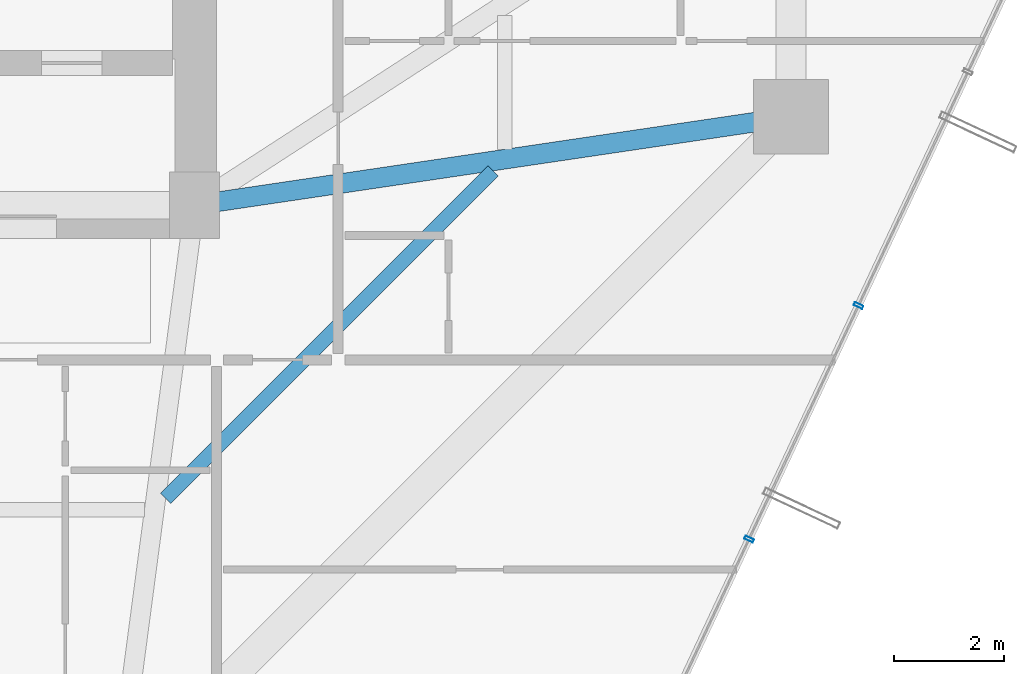
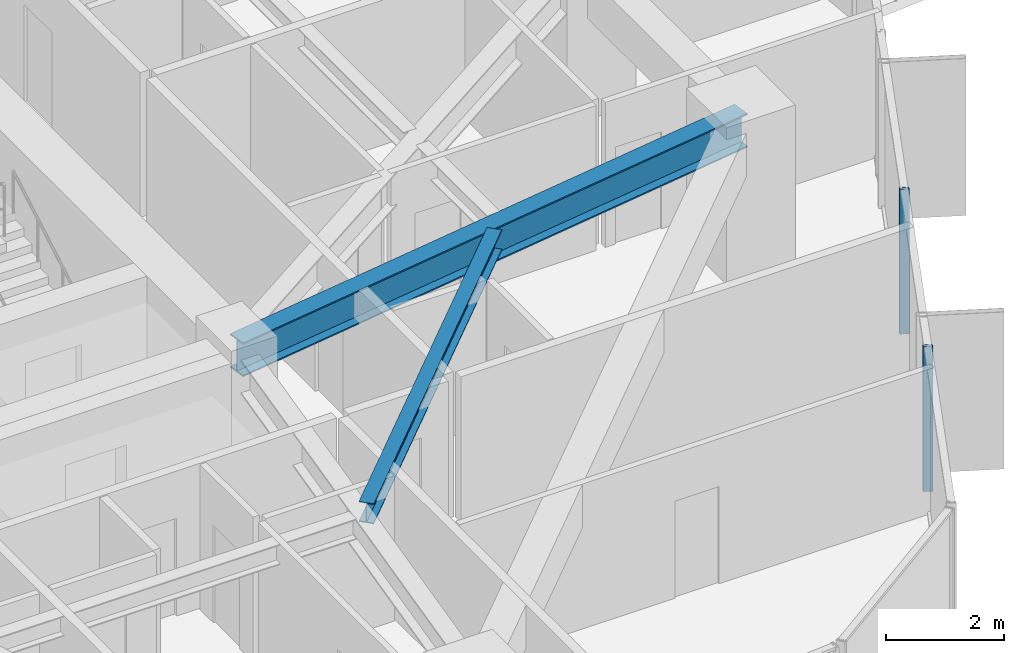
# One storey, part 16 of 37: 2 beams, 2 members, 1 element without a shape of its own.
"""IFC4 building model written with IfcOpenShell, lengths in metres."""

from ifc_helpers import new_model, si_unit, direction, frame, origin, origin_2d, place, context, subcontext, project, spatial, hollow_rectangle, i_section, extrude, source, transform, mapped, material, layer, layer_set, material_profile, profile_set, type_object, element, aggregate, save


model = new_model("IFC4")

# Units and contexts
model_context = context("Model", 3, precision=1e-05, world=origin(), true_north=direction((0.0, 1.0)))
body_context = subcontext(model_context, "Body", "Model", "MODEL_VIEW")
ifc_project = project(units=[si_unit("LENGTHUNIT", "METRE"), si_unit("AREAUNIT", "SQUARE_METRE"), si_unit("VOLUMEUNIT", "CUBIC_METRE"), si_unit("PLANEANGLEUNIT", "RADIAN"), si_unit("MASSUNIT", "GRAM", prefix="KILO")], contexts=[model_context])

# Site, building, storey
site_placement = place(None, origin())
site = spatial("IfcSite", under=ifc_project, at=site_placement, CompositionType="ELEMENT")
building_placement = place(site_placement, origin())
building = spatial("IfcBuilding", under=site, at=building_placement, Name="Veraguas Prism Commons", CompositionType="ELEMENT")
storey_placement = place(building_placement, frame((0.0, 0.0, 40.300048828125)))
storey = spatial("IfcBuildingStorey", under=building, at=storey_placement, Name="L10", CompositionType="ELEMENT", Elevation=40.300048828125)

# Beams
ifc_material_1 = material(Name="Steel ASTM A992 Grade 50", Category="steel")
ifc_material_profile_1 = material_profile(ifc_material_1, i_section(OverallWidth=0.260986328125, OverallDepth=0.419921875, WebThickness=0.01171875, FlangeThickness=0.019287109375, at=origin_2d()), Name="W410X114")
ifc_profile_set_1 = profile_set([ifc_material_profile_1], Name="Steel ASTM A992 Grade 50")
beam_type_1 = type_object("IfcBeamType", Name="Lower Floor Joist W410x114", PredefinedType="JOIST", material=ifc_profile_set_1)
beam_1_placement = place(storey_placement, frame((30.276611328125, 11.6923828125, 2.7900390625), z_axis=(0.707092226423, 0.70712133565, 0.0), x_axis=(-0.70712133565, 0.707092226423, 0.0)))
element("IfcBeam", 1, at=beam_1_placement, inside=storey, type_object=beam_type_1, Name="Composite Floor Joist L10-JS12", PredefinedType="JOIST", context=body_context, shape_type="SweptSolid", body=[
    extrude(i_section(OverallWidth=0.260986328125, OverallDepth=0.419921875, WebThickness=0.01171875, FlangeThickness=0.019287109375, at=origin_2d()), origin(), (0.0, 0.0, 1.0), 8.386962890625),
])
ifc_material_profile_2 = material_profile(ifc_material_1, i_section(OverallWidth=0.35595703125, OverallDepth=0.700927734375, WebThickness=0.016845703125, FlangeThickness=0.02734375, at=origin_2d()), Name="W690X240")
ifc_profile_set_2 = profile_set([ifc_material_profile_2], Name="Steel ASTM A992 Grade 50")
beam_type_2 = type_object("IfcBeamType", Name="Zone 1 Radial Girder W690x240", PredefinedType="BEAM", material=ifc_profile_set_2)
beam_2_placement = place(storey_placement, frame((41.60009765625, 18.60009765625, 2.6494140625), z_axis=(-0.989202261707, -0.146556765224, 0.0), x_axis=(0.146556765224, -0.989202261707, 0.0)))
element("IfcBeam", 2, at=beam_2_placement, inside=storey, type_object=beam_type_2, Name="Radial Floor Girder L10-RD01", PredefinedType="BEAM", context=body_context, shape_type="SweptSolid", body=[
    extrude(i_section(OverallWidth=0.35595703125, OverallDepth=0.700927734375, WebThickness=0.016845703125, FlangeThickness=0.02734375, at=origin_2d()), origin(), (0.0, 0.0, 1.0), 10.91796875),
])

# Curtain wall, members
ifc_material_2 = material(Name="Anodised aluminium EN AW-6063 T6", Category="aluminium")
ifc_layer = layer(ifc_material_2, 0.169921875, Name="Unitised Flush Curtain Wall Zone 1", Category="aluminium")
ifc_layer_set = layer_set([ifc_layer], Name="Anodised aluminium EN AW-6063 T6")
curtain_wall_type = type_object("IfcCurtainWallType", Name="Unitised Flush Curtain Wall Zone 1", PredefinedType="NOTDEFINED", material=ifc_layer_set)
curtain_wall_placement = place(storey_placement, origin())
curtain_wall = element("IfcCurtainWall", 3, at=curtain_wall_placement, inside=storey, type_object=curtain_wall_type, Name="Tower Facade Curtain Wall L10-F6", PredefinedType="NOTDEFINED")
ifc_material_profile_3 = material_profile(ifc_material_2, hollow_rectangle(XDim=0.06005859375, YDim=0.169921875, WallThickness=0.00390625, at=origin_2d()), Name="AL60X170X4")
ifc_profile_set_3 = profile_set([ifc_material_profile_3], Name="Anodised aluminium EN AW-6063 T6")
member_type = type_object("IfcMemberType", Name="Curtain Wall Mullion Lower AL 60x170x4", PredefinedType="MULLION", material=ifc_profile_set_3)
shared_shape = source(origin(), body_context, "Body", "SweptSolid", [
    extrude(hollow_rectangle(XDim=0.06005859375, YDim=0.169921875, WallThickness=0.00390625, at=origin_2d()), origin(), (0.0, 0.0, 1.0), 3.0),
])
member_1_placement = place(storey_placement, frame((40.840576171875, 10.953369140625, 0.0), z_axis=(0.0, 0.0, 1.0), x_axis=(0.424194681192, 0.905571020102, 0.0)))
member_1 = element("IfcMember", 4, at=member_1_placement, type_object=member_type, Name="CW-Z1 Mullion 2", PredefinedType="MULLION", context=body_context, shape_type="MappedRepresentation", body=[
    mapped(shared_shape, transform((0.0, 0.0, 0.0), scale=1.0)),
])
member_2_placement = place(storey_placement, frame((42.822021484375, 15.18310546875, 0.0), z_axis=(0.0, 0.0, 1.0), x_axis=(0.424194681192, 0.905571020102, 0.0)))
member_2 = element("IfcMember", 5, at=member_2_placement, type_object=member_type, Name="CW-Z1 Mullion 3", PredefinedType="MULLION", context=body_context, shape_type="MappedRepresentation", body=[
    mapped(shared_shape, transform((0.0, 0.0, 0.0), scale=1.0)),
])
aggregate(curtain_wall, [member_1, member_2])

save(model, "model.ifc")
